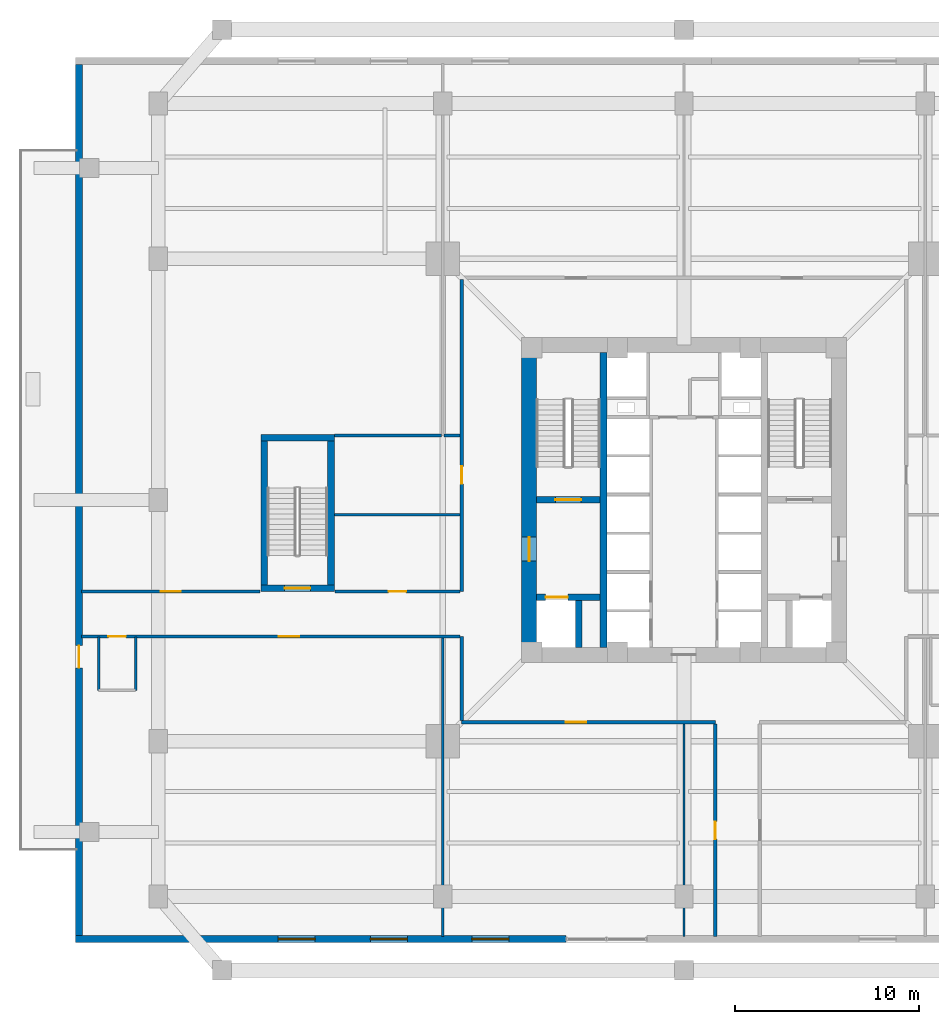
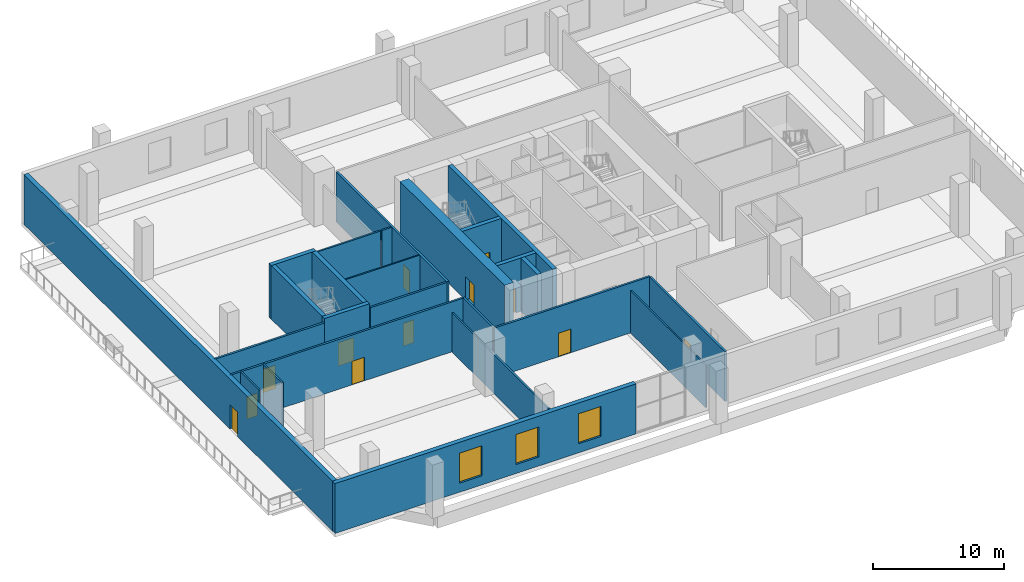
# One storey, part 6 of 14: 25 walls, 12 doors, 3 windows, 15 openings.
"""IFC4 building model written with IfcOpenShell, lengths in metres."""

from ifc_helpers import new_model, si_unit, direction, frame, frame_2d, origin, place, context, subcontext, project, spatial, rectangle, extrude, source, transform, mapped, material, layer, layer_set, type_object, element, fill, save


model = new_model("IFC4")

# Units and contexts
model_context = context("Model", 3, precision=1e-05, world=origin(), true_north=direction((0.0, 1.0)))
body_context = subcontext(model_context, "Body", "Model", "MODEL_VIEW")
ifc_project = project(units=[si_unit("LENGTHUNIT", "METRE"), si_unit("AREAUNIT", "SQUARE_METRE"), si_unit("VOLUMEUNIT", "CUBIC_METRE"), si_unit("PLANEANGLEUNIT", "RADIAN"), si_unit("MASSUNIT", "GRAM", prefix="KILO"), si_unit("THERMODYNAMICTEMPERATUREUNIT", "KELVIN")], contexts=[model_context])

# Site, building, storey
site_placement = place(None, origin())
site = spatial("IfcSite", under=ifc_project, at=site_placement, CompositionType="ELEMENT")
building_placement = place(site_placement, origin())
building = spatial("IfcBuilding", under=site, at=building_placement, Name="Kosmvard Interchange Tower", CompositionType="ELEMENT")
storey_placement = place(building_placement, frame((0.0, 0.0, 16.0)))
storey = spatial("IfcBuildingStorey", under=building, at=storey_placement, Name="L03", CompositionType="ELEMENT", Elevation=16.0)

# Walls
ifc_material_1 = material(Name="Acoustic gypsum partition system")
ifc_layer_1 = layer(ifc_material_1, 0.14990234375, Name="Acoustic gypsum partition system")
ifc_layer_set_1 = layer_set([ifc_layer_1], Name="Acoustic gypsum partition system")
wall_type_1 = type_object("IfcWallType", Name="Acoustic Suite & Meeting Partition 150", PredefinedType="PARTITIONING", material=ifc_layer_set_1)
wall_1_placement = place(storey_placement, frame((-18.9599609375, 3.5, 0.0), z_axis=(0.0, 0.0, 1.0), x_axis=(1.0, 0.0, 0.0)))
element("IfcWall", 1, at=wall_1_placement, inside=storey, type_object=wall_type_1, Name="L03 Room Partition 04.1", PredefinedType="PARTITIONING", context=body_context, shape_type="SweptSolid", body=[
    extrude(rectangle(XDim=5.803955078125, YDim=0.14990234375, at=frame_2d((2.90185546875, 0.0))), origin(), (0.0, 0.0, 1.0), 4.659912109375),
])
wall_2_placement = place(storey_placement, frame((-13.006103515625, 3.5, 0.0), z_axis=(0.0, 0.0, 1.0), x_axis=(1.0, 0.0, 0.0)))
element("IfcWall", 2, at=wall_2_placement, inside=storey, type_object=wall_type_1, Name="L03 Room Partition 04.2", PredefinedType="PARTITIONING", context=body_context, shape_type="SweptSolid", body=[
    extrude(rectangle(XDim=0.861083984375, YDim=0.14990234375, at=frame_2d((0.4306640625, 0.0))), origin(), (0.0, 0.0, 1.0), 4.659912109375),
])
wall_3_placement = place(storey_placement, frame((-13.0810546875, -23.6650390625, 0.0), z_axis=(0.0, 0.0, 1.0), x_axis=(0.0, 1.0, 0.0)))
element("IfcWall", 3, at=wall_3_placement, inside=storey, type_object=wall_type_1, Name="L03 Room Partition 08.1", PredefinedType="PARTITIONING", context=body_context, shape_type="SweptSolid", body=[
    extrude(rectangle(XDim=16.169921875, YDim=0.14990234375, at=frame_2d((8.0849609375, 0.0))), origin(), (0.0, 0.0, 1.0), 3.652099609375),
])

# Wall, opening, door
ifc_material_2 = material(Name="Fire-rated gypsum partition system")
ifc_layer_2 = layer(ifc_material_2, 0.179931640625, Name="Fire-rated gypsum partition system")
ifc_layer_set_2 = layer_set([ifc_layer_2], Name="Fire-rated gypsum partition system")
wall_type_2 = type_object("IfcWallType", Name="Corridor & Hotel Compartment Partition 180", PredefinedType="PARTITIONING", material=ifc_layer_set_2)
wall_4_placement = place(storey_placement, frame((-12.050048828125, -12.050048828125, 0.0), z_axis=(0.0, 0.0, 1.0), x_axis=(1.0, 0.0, 0.0)))
wall_4 = element("IfcWall", 4, at=wall_4_placement, inside=storey, type_object=wall_type_2, Name="L03 Corridor Wall CSW", PredefinedType="PARTITIONING", context=body_context, shape_type="SweptSolid", body=[
    extrude(rectangle(XDim=13.75, YDim=0.179931640625, at=frame_2d((6.875, 0.0))), origin(), (0.0, 0.0, 1.0), 4.659912109375),
])
opening_1_placement = place(wall_4_placement, frame((5.639404296875, 0.0, 0.0)))
opening_1 = element("IfcOpeningElement", 5, at=opening_1_placement, cuts=wall_4, Name="Opening L03-D12", PredefinedType="OPENING", context=body_context, shape_type="SweptSolid", body=[
    extrude(rectangle(XDim=1.10009765625, YDim=2.199951171875, at=frame_2d((0.550048828125, 1.10009765625))), frame((0.0, 0.10009765625, 0.0), z_axis=(0.0, -1.0, 0.0), x_axis=(1.0, 0.0, 0.0)), (0.0, 0.0, 1.0), 0.199951171875),
])
ifc_material_3 = material(Name="Engineered oak fire-rated timber", Category="wood")
door_type_1 = type_object("IfcDoorType", Name="Office Suite Entrance Door 1100x2200 FD30S", OperationType="NOTDEFINED", PredefinedType="DOOR", material=ifc_material_3)
shared_shape_1 = source(origin(), body_context, "Body", "SweptSolid", [
    extrude(rectangle(XDim=1.10009765625, YDim=2.199951171875, at=frame_2d((0.550048828125, 1.10009765625))), frame((0.0, 0.02490234375, 0.0), z_axis=(0.0, -1.0, 0.0), x_axis=(1.0, 0.0, 0.0)), (0.0, 0.0, 1.0), 0.050048828125),
])
door_1_placement = place(opening_1_placement, frame((1.10009765625, 0.0, 0.0), z_axis=(0.0, 0.0, 1.0), x_axis=(-1.0, 0.0, 0.0)))
door_1 = element("IfcDoor", 6, at=door_1_placement, inside=storey, type_object=door_type_1, Name="L03 L03 Seminar Briefing Room 3 Door", OperationType="SINGLE_SWING_RIGHT", OverallHeight=2.199951171875, OverallWidth=1.10009765625, PredefinedType="DOOR", context=body_context, shape_type="MappedRepresentation", body=[
    mapped(shared_shape_1, transform((0.0, 0.0, 0.0), scale=1.0)),
])
fill(opening_1, door_1)

# Wall
wall_5_placement = place(storey_placement, frame((-12.050048828125, -11.949951171875, 0.0), z_axis=(0.0, 0.0, 1.0), x_axis=(0.0, 1.0, 0.0)))
element("IfcWall", 7, at=wall_5_placement, inside=storey, type_object=wall_type_2, Name="L03 Corridor Wall CWS", PredefinedType="PARTITIONING", context=body_context, shape_type="SweptSolid", body=[
    extrude(rectangle(XDim=4.550048828125, YDim=0.179931640625, at=frame_2d((2.27490234375, 0.0))), origin(), (0.0, 0.0, 1.0), 4.659912109375),
])

# Wall, opening, door
wall_6_placement = place(storey_placement, frame((-12.050048828125, -4.9599609375, 0.0), z_axis=(0.0, 0.0, 1.0), x_axis=(0.0, 1.0, 0.0)))
wall_6 = element("IfcWall", 8, at=wall_6_placement, inside=storey, type_object=wall_type_2, Name="L03 Corridor Wall CWN", PredefinedType="PARTITIONING", context=body_context, shape_type="SweptSolid", body=[
    extrude(rectangle(XDim=16.909912109375, YDim=0.179931640625, at=frame_2d((8.455078125, 0.0))), origin(), (0.0, 0.0, 1.0), 4.659912109375),
])
opening_2_placement = place(wall_6_placement, frame((5.8349609375, 0.0, 0.0)))
opening_2 = element("IfcOpeningElement", 9, at=opening_2_placement, cuts=wall_6, Name="Opening L03-D08", PredefinedType="OPENING", context=body_context, shape_type="SweptSolid", body=[
    extrude(rectangle(XDim=0.949951171875, YDim=2.14990234375, at=frame_2d((0.47509765625, 1.074951171875))), frame((0.0, 0.10009765625, 0.0), z_axis=(0.0, -1.0, 0.0), x_axis=(1.0, 0.0, 0.0)), (0.0, 0.0, 1.0), 0.199951171875),
])
ifc_material_4 = material(Name="Engineered oak acoustic timber", Category="wood")
door_type_2 = type_object("IfcDoorType", Name="Meeting & Cellular Office Door 950x2150", OperationType="NOTDEFINED", PredefinedType="DOOR", material=ifc_material_4)
shared_shape_2 = source(origin(), body_context, "Body", "SweptSolid", [
    extrude(rectangle(XDim=0.949951171875, YDim=2.14990234375, at=frame_2d((0.47509765625, 1.074951171875))), frame((0.0, 0.02490234375, 0.0), z_axis=(0.0, -1.0, 0.0), x_axis=(1.0, 0.0, 0.0)), (0.0, 0.0, 1.0), 0.050048828125),
])
door_2_placement = place(opening_2_placement, origin())
door_2 = element("IfcDoor", 10, at=door_2_placement, inside=storey, type_object=door_type_2, Name="L03 L03 Traveler Medical Clinic Door", OperationType="SINGLE_SWING_RIGHT", OverallHeight=2.14990234375, OverallWidth=0.949951171875, PredefinedType="DOOR", context=body_context, shape_type="MappedRepresentation", body=[
    mapped(shared_shape_2, transform((0.0, 0.0, 0.0), scale=1.0)),
])
fill(opening_2, door_2)

# Wall, openings, doors
wall_7_placement = place(storey_placement, frame((-32.6650390625, -7.39990234375, 0.0), z_axis=(0.0, 0.0, 1.0), x_axis=(1.0, 0.0, 0.0)))
wall_7 = element("IfcWall", 11, at=wall_7_placement, inside=storey, type_object=wall_type_2, Name="L03 Corridor Wall SWS", PredefinedType="PARTITIONING", context=body_context, shape_type="SweptSolid", body=[
    extrude(rectangle(XDim=20.51513671875, YDim=0.179931640625, at=frame_2d((10.257568359375, 0.0))), origin(), (0.0, 0.0, 1.0), 4.659912109375),
])
opening_3_placement = place(wall_7_placement, frame((1.455078125, 0.0, 0.0)))
opening_3 = element("IfcOpeningElement", 12, at=opening_3_placement, cuts=wall_7, Name="Opening L03-D01", PredefinedType="OPENING", context=body_context, shape_type="SweptSolid", body=[
    extrude(rectangle(XDim=0.949951171875, YDim=2.10009765625, at=frame_2d((0.47509765625, 1.050048828125))), frame((0.0, 0.10009765625, 0.0), z_axis=(0.0, -1.0, 0.0), x_axis=(1.0, 0.0, 0.0)), (0.0, 0.0, 1.0), 0.199951171875),
])
opening_4_placement = place(wall_7_placement, frame((10.700927734375, 0.0, 0.0)))
opening_4 = element("IfcOpeningElement", 13, at=opening_4_placement, cuts=wall_7, Name="Opening L03-D11", PredefinedType="OPENING", context=body_context, shape_type="SweptSolid", body=[
    extrude(rectangle(XDim=1.10009765625, YDim=2.199951171875, at=frame_2d((0.550048828125, 1.10009765625))), frame((0.0, 0.10009765625, 0.0), z_axis=(0.0, -1.0, 0.0), x_axis=(1.0, 0.0, 0.0)), (0.0, 0.0, 1.0), 0.199951171875),
])
ifc_material_5 = material(Name="Laminated moisture-resistant timber", Category="wood")
door_type_3 = type_object("IfcDoorType", Name="Accessible Washroom Door 950x2100", OperationType="NOTDEFINED", PredefinedType="DOOR", material=ifc_material_5)
shared_shape_3 = source(origin(), body_context, "Body", "SweptSolid", [
    extrude(rectangle(XDim=0.949951171875, YDim=2.10009765625, at=frame_2d((0.47509765625, 1.050048828125))), frame((0.0, 0.02490234375, 0.0), z_axis=(0.0, -1.0, 0.0), x_axis=(1.0, 0.0, 0.0)), (0.0, 0.0, 1.0), 0.050048828125),
])
door_3_placement = place(opening_3_placement, frame((0.949951171875, 0.0, 0.0), z_axis=(0.0, 0.0, 1.0), x_axis=(-1.0, 0.0, 0.0)))
door_3 = element("IfcDoor", 14, at=door_3_placement, inside=storey, type_object=door_type_3, Name="L03 Accessible Toilet Door", OperationType="SINGLE_SWING_LEFT", OverallHeight=2.10009765625, OverallWidth=0.949951171875, PredefinedType="DOOR", context=body_context, shape_type="MappedRepresentation", body=[
    mapped(shared_shape_3, transform((0.0, 0.0, 0.0), scale=1.0)),
])
fill(opening_3, door_3)
door_4_placement = place(opening_4_placement, frame((1.10009765625, 0.0, 0.0), z_axis=(0.0, 0.0, 1.0), x_axis=(-1.0, 0.0, 0.0)))
door_4 = element("IfcDoor", 15, at=door_4_placement, inside=storey, type_object=door_type_1, Name="L03 L03 West Terrace Reading Lounge Door", OperationType="SINGLE_SWING_LEFT", OverallHeight=2.199951171875, OverallWidth=1.10009765625, PredefinedType="DOOR", context=body_context, shape_type="MappedRepresentation", body=[
    mapped(shared_shape_1, transform((0.0, 0.0, 0.0), scale=1.0)),
])
fill(opening_4, door_4)

# Wall, opening, door
wall_8_placement = place(storey_placement, frame((-32.6650390625, -4.9599609375, 0.0), z_axis=(0.0, 0.0, 1.0), x_axis=(1.0, 0.0, 0.0)))
wall_8 = element("IfcWall", 16, at=wall_8_placement, inside=storey, type_object=wall_type_2, Name="L03 Corridor Wall SWN1", PredefinedType="PARTITIONING", context=body_context, shape_type="SweptSolid", body=[
    extrude(rectangle(XDim=9.68505859375, YDim=0.179931640625, at=frame_2d((4.842529296875, 0.0))), origin(), (0.0, 0.0, 1.0), 4.659912109375),
])
opening_5_placement = place(wall_8_placement, frame((4.29248046875, 0.0, 0.0)))
opening_5 = element("IfcOpeningElement", 17, at=opening_5_placement, cuts=wall_8, Name="Opening L03-D03", PredefinedType="OPENING", context=body_context, shape_type="SweptSolid", body=[
    extrude(rectangle(XDim=1.10009765625, YDim=2.199951171875, at=frame_2d((0.550048828125, 1.10009765625))), frame((0.0, 0.10009765625, 0.0), z_axis=(0.0, -1.0, 0.0), x_axis=(1.0, 0.0, 0.0)), (0.0, 0.0, 1.0), 0.199951171875),
])
door_5_placement = place(opening_5_placement, origin())
door_5 = element("IfcDoor", 18, at=door_5_placement, inside=storey, type_object=door_type_1, Name="L03 L03 West Co-Working Workplace Door", OperationType="SINGLE_SWING_LEFT", OverallHeight=2.199951171875, OverallWidth=1.10009765625, PredefinedType="DOOR", context=body_context, shape_type="MappedRepresentation", body=[
    mapped(shared_shape_1, transform((0.0, 0.0, 0.0), scale=1.0)),
])
fill(opening_5, door_5)

wall_9_placement = place(storey_placement, frame((-18.919921875, -4.9599609375, 0.0), z_axis=(0.0, 0.0, 1.0), x_axis=(1.0, 0.0, 0.0)))
wall_9 = element("IfcWall", 19, at=wall_9_placement, inside=storey, type_object=wall_type_2, Name="L03 Corridor Wall SWN2", PredefinedType="PARTITIONING", context=body_context, shape_type="SweptSolid", body=[
    extrude(rectangle(XDim=6.77001953125, YDim=0.179931640625, at=frame_2d((3.385009765625, 0.0))), origin(), (0.0, 0.0, 1.0), 4.659912109375),
])
opening_6_placement = place(wall_9_placement, frame((2.909912109375, 0.0, 0.0)))
opening_6 = element("IfcOpeningElement", 20, at=opening_6_placement, cuts=wall_9, Name="Opening L03-D07", PredefinedType="OPENING", context=body_context, shape_type="SweptSolid", body=[
    extrude(rectangle(XDim=0.949951171875, YDim=2.14990234375, at=frame_2d((0.47509765625, 1.074951171875))), frame((0.0, 0.10009765625, 0.0), z_axis=(0.0, -1.0, 0.0), x_axis=(1.0, 0.0, 0.0)), (0.0, 0.0, 1.0), 0.199951171875),
])
door_6_placement = place(opening_6_placement, origin())
door_6 = element("IfcDoor", 21, at=door_6_placement, inside=storey, type_object=door_type_2, Name="L03 L03 Business Servery Pantry Door", OperationType="SINGLE_SWING_LEFT", OverallHeight=2.14990234375, OverallWidth=0.949951171875, PredefinedType="DOOR", context=body_context, shape_type="MappedRepresentation", body=[
    mapped(shared_shape_2, transform((0.0, 0.0, 0.0), scale=1.0)),
])
fill(opening_6, door_6)

wall_10_placement = place(storey_placement, frame((1.699951171875, -23.6650390625, 0.0), z_axis=(0.0, 0.0, 1.0), x_axis=(0.0, 1.0, 0.0)))
wall_10 = element("IfcWall", 22, at=wall_10_placement, inside=storey, type_object=wall_type_2, Name="L03 Corridor Wall SSW", PredefinedType="PARTITIONING", context=body_context, shape_type="SweptSolid", body=[
    extrude(rectangle(XDim=11.51513671875, YDim=0.179931640625, at=frame_2d((5.757568359375, 0.0))), origin(), (0.0, 0.0, 1.0), 4.659912109375),
])
opening_7_placement = place(wall_10_placement, frame((5.282470703125, 0.0, 0.0)))
opening_7 = element("IfcOpeningElement", 23, at=opening_7_placement, cuts=wall_10, Name="Opening L03-D13", PredefinedType="OPENING", context=body_context, shape_type="SweptSolid", body=[
    extrude(rectangle(XDim=0.949951171875, YDim=2.14990234375, at=frame_2d((0.47509765625, 1.074951171875))), frame((0.0, 0.10009765625, 0.0), z_axis=(0.0, -1.0, 0.0), x_axis=(1.0, 0.0, 0.0)), (0.0, 0.0, 1.0), 0.199951171875),
])
door_7_placement = place(opening_7_placement, origin())
door_7 = element("IfcDoor", 24, at=door_7_placement, inside=storey, type_object=door_type_2, Name="L03 L03 Business Archive Store Door", OperationType="SINGLE_SWING_LEFT", OverallHeight=2.14990234375, OverallWidth=0.949951171875, PredefinedType="DOOR", context=body_context, shape_type="MappedRepresentation", body=[
    mapped(shared_shape_2, transform((0.0, 0.0, 0.0), scale=1.0)),
])
fill(opening_7, door_7)

ifc_material_6 = material(Name="Concrete C80/95", Category="concrete")
ifc_layer_3 = layer(ifc_material_6, 0.800048828125, Name="Concrete C80/95")
ifc_layer_set_3 = layer_set([ifc_layer_3], Name="Concrete C80/95")
wall_type_3 = type_object("IfcWallType", Name="Lower Core Shear Wall 800 C80/95", PredefinedType="SHEAR", material=ifc_layer_set_3)
wall_11_placement = place(storey_placement, frame((-8.39990234375, -8.0, 0.0), z_axis=(0.0, 0.0, 1.0), x_axis=(0.0, 1.0, 0.0)))
wall_11 = element("IfcWall", 25, at=wall_11_placement, inside=storey, type_object=wall_type_3, Name="L03 Core Shear Wall CW-W", PredefinedType="SHEAR", context=body_context, shape_type="SweptSolid", body=[
    extrude(rectangle(XDim=16.0, YDim=0.800048828125, at=frame_2d((8.0, 0.0))), origin(), (0.0, 0.0, 1.0), 5.0),
])
opening_8_placement = place(wall_11_placement, frame((4.68994140625, 0.0, 0.0)))
opening_8 = element("IfcOpeningElement", 26, at=opening_8_placement, cuts=wall_11, Name="Opening L03-FD1", PredefinedType="OPENING", context=body_context, shape_type="SweptSolid", body=[
    extrude(rectangle(XDim=1.300048828125, YDim=2.199951171875, at=frame_2d((0.64990234375, 1.10009765625))), frame((0.0, 0.41015625, 0.0), z_axis=(0.0, -1.0, 0.0), x_axis=(1.0, 0.0, 0.0)), (0.0, 0.0, 1.0), 0.820068359375),
])
ifc_material_7 = material(Name="Painted fire-rated steel leaf", Category="steel")
door_type_4 = type_object("IfcDoorType", Name="Firefighting Lobby Door 1300x2200 EI60", OperationType="NOTDEFINED", PredefinedType="DOOR", material=ifc_material_7)
shared_shape_4 = source(origin(), body_context, "Body", "SweptSolid", [
    extrude(rectangle(XDim=1.300048828125, YDim=2.199951171875, at=frame_2d((0.64990234375, 1.10009765625))), frame((0.0, 0.02490234375, 0.0), z_axis=(0.0, -1.0, 0.0), x_axis=(1.0, 0.0, 0.0)), (0.0, 0.0, 1.0), 0.050048828125),
])
door_8_placement = place(opening_8_placement, frame((1.300048828125, 0.0, 0.0), z_axis=(0.0, 0.0, 1.0), x_axis=(-1.0, 0.0, 0.0)))
door_8 = element("IfcDoor", 27, at=door_8_placement, inside=storey, type_object=door_type_4, Name="L03 Firefighting Lobby West Door", OperationType="SINGLE_SWING_LEFT", OverallHeight=2.199951171875, OverallWidth=1.300048828125, PredefinedType="DOOR", context=body_context, shape_type="MappedRepresentation", body=[
    mapped(shared_shape_4, transform((0.0, 0.0, 0.0), scale=1.0)),
])
fill(opening_8, door_8)

# Walls
ifc_material_8 = material(Name="Gypsum board partition system")
ifc_layer_4 = layer(ifc_material_8, 0.1201171875, Name="Gypsum board partition system")
ifc_layer_set_4 = layer_set([ifc_layer_4], Name="Gypsum board partition system")
wall_type_4 = type_object("IfcWallType", Name="Office Cellular Partition 120", PredefinedType="PARTITIONING", material=ifc_layer_set_4)
wall_12_placement = place(storey_placement, frame((-18.9599609375, -0.800048828125, 0.0), z_axis=(0.0, 0.0, 1.0), x_axis=(1.0, 0.0, 0.0)))
element("IfcWall", 28, at=wall_12_placement, inside=storey, type_object=wall_type_4, Name="L03 Room Partition 06.1", PredefinedType="PARTITIONING", context=body_context, shape_type="SweptSolid", body=[
    extrude(rectangle(XDim=6.81494140625, YDim=0.1201171875, at=frame_2d((3.407470703125, 0.0))), origin(), (0.0, 0.0, 1.0), 4.659912109375),
])
wall_13_placement = place(storey_placement, frame((0.0, -23.6650390625, 0.0), z_axis=(0.0, 0.0, 1.0), x_axis=(0.0, 1.0, 0.0)))
element("IfcWall", 29, at=wall_13_placement, inside=storey, type_object=wall_type_4, Name="L03 Room Partition 09.1", PredefinedType="PARTITIONING", context=body_context, shape_type="SweptSolid", body=[
    extrude(rectangle(XDim=11.52001953125, YDim=0.1201171875, at=frame_2d((5.760009765625, 0.0))), origin(), (0.0, 0.0, 1.0), 3.949951171875),
])

# Wall, openings, windows
ifc_material_9 = material(Name="Precast concrete C45/55", Category="concrete")
ifc_layer_5 = layer(ifc_material_9, 0.39990234375, Name="Precast concrete C45/55")
ifc_layer_set_5 = layer_set([ifc_layer_5], Name="Precast concrete C45/55")
wall_type_5 = type_object("IfcWallType", Name="Podium Precast Stone Pier Wall 400 C45/55", PredefinedType="STANDARD", material=ifc_layer_set_5)
wall_14_placement = place(storey_placement, frame((-33.0, -23.800048828125, 0.0), z_axis=(0.0, 0.0, 1.0), x_axis=(1.0, 0.0, 0.0)))
wall_14 = element("IfcWall", 30, at=wall_14_placement, inside=storey, type_object=wall_type_5, Name="L03 Podium Precast Wall EW-S1", PredefinedType="STANDARD", context=body_context, shape_type="SweptSolid", body=[
    extrude(rectangle(XDim=26.60009765625, YDim=0.39990234375, at=frame_2d((13.300048828125, 0.0))), origin(), (0.0, 0.0, 1.0), 4.659912109375),
])
opening_9_placement = place(wall_14_placement, frame((11.0, 0.0, 0.85009765625)))
opening_9 = element("IfcOpeningElement", 31, at=opening_9_placement, cuts=wall_14, Name="Opening L03-W1", PredefinedType="OPENING", context=body_context, shape_type="SweptSolid", body=[
    extrude(rectangle(XDim=2.0, YDim=2.800048828125, at=frame_2d((1.0, 1.39990234375))), frame((0.0, 0.2099609375, 0.0), z_axis=(0.0, -1.0, 0.0), x_axis=(1.0, 0.0, 0.0)), (0.0, 0.0, 1.0), 0.419921875),
])
opening_10_placement = place(wall_14_placement, frame((16.0, 0.0, 0.85009765625)))
opening_10 = element("IfcOpeningElement", 32, at=opening_10_placement, cuts=wall_14, Name="Opening L03-W2", PredefinedType="OPENING", context=body_context, shape_type="SweptSolid", body=[
    extrude(rectangle(XDim=2.0, YDim=2.800048828125, at=frame_2d((1.0, 1.39990234375))), frame((0.0, 0.2099609375, 0.0), z_axis=(0.0, -1.0, 0.0), x_axis=(1.0, 0.0, 0.0)), (0.0, 0.0, 1.0), 0.419921875),
])
opening_11_placement = place(wall_14_placement, frame((21.5, 0.0, 0.85009765625)))
opening_11 = element("IfcOpeningElement", 33, at=opening_11_placement, cuts=wall_14, Name="Opening L03-W3", PredefinedType="OPENING", context=body_context, shape_type="SweptSolid", body=[
    extrude(rectangle(XDim=2.0, YDim=2.800048828125, at=frame_2d((1.0, 1.39990234375))), frame((0.0, 0.2099609375, 0.0), z_axis=(0.0, -1.0, 0.0), x_axis=(1.0, 0.0, 0.0)), (0.0, 0.0, 1.0), 0.419921875),
])
ifc_material_10 = material(Name="Low-E solar-control double glazing", Category="glass")
window_type = type_object("IfcWindowType", Name="Podium Lounge Punched Window 2000x2800", PartitioningType="SINGLE_PANEL", PredefinedType="WINDOW", material=ifc_material_10)
shared_shape_5 = source(origin(), body_context, "Body", "SweptSolid", [
    extrude(rectangle(XDim=2.0, YDim=2.800048828125, at=frame_2d((1.0, 1.39990234375))), frame((0.0, 0.030029296875, 0.0), z_axis=(0.0, -1.0, 0.0), x_axis=(1.0, 0.0, 0.0)), (0.0, 0.0, 1.0), 0.06005859375),
])
window_1_placement = place(opening_9_placement, origin())
window_1 = element("IfcWindow", 34, at=window_1_placement, inside=storey, type_object=window_type, Name="L03 Podium Window 1", OverallHeight=2.800048828125, OverallWidth=2.0, PartitioningType="SINGLE_PANEL", PredefinedType="WINDOW", context=body_context, shape_type="MappedRepresentation", body=[
    mapped(shared_shape_5, transform((0.0, 0.0, 0.0), scale=1.0)),
])
fill(opening_9, window_1)
window_2_placement = place(opening_10_placement, origin())
window_2 = element("IfcWindow", 35, at=window_2_placement, inside=storey, type_object=window_type, Name="L03 Podium Window 2", OverallHeight=2.800048828125, OverallWidth=2.0, PartitioningType="SINGLE_PANEL", PredefinedType="WINDOW", context=body_context, shape_type="MappedRepresentation", body=[
    mapped(shared_shape_5, transform((0.0, 0.0, 0.0), scale=1.0)),
])
fill(opening_10, window_2)
window_3_placement = place(opening_11_placement, origin())
window_3 = element("IfcWindow", 36, at=window_3_placement, inside=storey, type_object=window_type, Name="L03 Podium Window 3", OverallHeight=2.800048828125, OverallWidth=2.0, PartitioningType="SINGLE_PANEL", PredefinedType="WINDOW", context=body_context, shape_type="MappedRepresentation", body=[
    mapped(shared_shape_5, transform((0.0, 0.0, 0.0), scale=1.0)),
])
fill(opening_11, window_3)

# Wall, opening, door
wall_15_placement = place(storey_placement, frame((-32.800048828125, -23.60009765625, 0.0), z_axis=(0.0, 0.0, 1.0), x_axis=(0.0, 1.0, 0.0)))
wall_15 = element("IfcWall", 37, at=wall_15_placement, inside=storey, type_object=wall_type_5, Name="L03 Podium Precast Wall EW-W", PredefinedType="STANDARD", context=body_context, shape_type="SweptSolid", body=[
    extrude(rectangle(XDim=47.2001953125, YDim=0.39990234375, at=frame_2d((23.60009765625, 0.0))), origin(), (0.0, 0.0, 1.0), 4.659912109375),
])
opening_12_placement = place(wall_15_placement, frame((14.5, 0.0, 0.0)))
opening_12 = element("IfcOpeningElement", 38, at=opening_12_placement, cuts=wall_15, Name="Opening L03-TDW", PredefinedType="OPENING", context=body_context, shape_type="SweptSolid", body=[
    extrude(rectangle(XDim=1.199951171875, YDim=2.300048828125, at=frame_2d((0.60009765625, 1.14990234375))), frame((0.0, 0.2099609375, 0.0), z_axis=(0.0, -1.0, 0.0), x_axis=(1.0, 0.0, 0.0)), (0.0, 0.0, 1.0), 0.419921875),
])
ifc_material_11 = material(Name="Anodised aluminium and safety glass", Category="aluminium")
door_type_5 = type_object("IfcDoorType", Name="Cascade Terrace Glazed Door 1200x2300", OperationType="NOTDEFINED", PredefinedType="DOOR", material=ifc_material_11)
shared_shape_6 = source(origin(), body_context, "Body", "SweptSolid", [
    extrude(rectangle(XDim=1.199951171875, YDim=2.300048828125, at=frame_2d((0.60009765625, 1.14990234375))), frame((0.0, 0.02490234375, 0.0), z_axis=(0.0, -1.0, 0.0), x_axis=(1.0, 0.0, 0.0)), (0.0, 0.0, 1.0), 0.050048828125),
])
door_9_placement = place(opening_12_placement, frame((1.199951171875, 0.0, 0.0), z_axis=(0.0, 0.0, 1.0), x_axis=(-1.0, 0.0, 0.0)))
door_9 = element("IfcDoor", 39, at=door_9_placement, inside=storey, type_object=door_type_5, Name="L03 West Cascading Terrace Door", OperationType="SINGLE_SWING_LEFT", OverallHeight=2.300048828125, OverallWidth=1.199951171875, PredefinedType="DOOR", context=body_context, shape_type="MappedRepresentation", body=[
    mapped(shared_shape_6, transform((0.0, 0.0, 0.0), scale=1.0)),
])
fill(opening_12, door_9)

# Wall
ifc_material_12 = material(Name="Concrete C60/75", Category="concrete")
ifc_layer_6 = layer(ifc_material_12, 0.360107421875, Name="Concrete C60/75")
ifc_layer_set_6 = layer_set([ifc_layer_6], Name="Concrete C60/75")
wall_type_6 = type_object("IfcWallType", Name="Stair & Lift Shaft Shear Wall 360 C60/75", PredefinedType="SHEAR", material=ifc_layer_set_6)
wall_16_placement = place(storey_placement, frame((-4.360107421875, -8.0, 0.0), z_axis=(0.0, 0.0, 1.0), x_axis=(0.0, 1.0, 0.0)))
element("IfcWall", 40, at=wall_16_placement, inside=storey, type_object=wall_type_6, Name="L03 Shaft Shear Wall SW-W", PredefinedType="SHEAR", context=body_context, shape_type="SweptSolid", body=[
    extrude(rectangle(XDim=16.0, YDim=0.360107421875, at=frame_2d((8.0, 0.0))), origin(), (0.0, 0.0, 1.0), 5.0),
])

# Wall, opening, door
wall_17_placement = place(storey_placement, frame((-8.0, 0.02001953125, 0.0), z_axis=(0.0, 0.0, 1.0), x_axis=(1.0, 0.0, 0.0)))
wall_17 = element("IfcWall", 41, at=wall_17_placement, inside=storey, type_object=wall_type_6, Name="L03 Shaft Shear Wall SW-ST1", PredefinedType="SHEAR", context=body_context, shape_type="SweptSolid", body=[
    extrude(rectangle(XDim=3.4599609375, YDim=0.360107421875, at=frame_2d((1.72998046875, 0.0))), origin(), (0.0, 0.0, 1.0), 5.0),
])
opening_13_placement = place(wall_17_placement, frame((1.030029296875, 0.0, 0.0)))
opening_13 = element("IfcOpeningElement", 42, at=opening_13_placement, cuts=wall_17, Name="Opening L03-SD1", PredefinedType="OPENING", context=body_context, shape_type="SweptSolid", body=[
    extrude(rectangle(XDim=1.39990234375, YDim=2.199951171875, at=frame_2d((0.699951171875, 1.10009765625))), frame((0.0, 0.18994140625, 0.0), z_axis=(0.0, -1.0, 0.0), x_axis=(1.0, 0.0, 0.0)), (0.0, 0.0, 1.0), 0.380126953125),
])
door_type_6 = type_object("IfcDoorType", Name="Protected Stair Door 1400x2200 FD60S", OperationType="NOTDEFINED", PredefinedType="DOOR", material=ifc_material_7)
shared_shape_7 = source(origin(), body_context, "Body", "SweptSolid", [
    extrude(rectangle(XDim=1.39990234375, YDim=2.199951171875, at=frame_2d((0.699951171875, 1.10009765625))), frame((0.0, 0.02490234375, 0.0), z_axis=(0.0, -1.0, 0.0), x_axis=(1.0, 0.0, 0.0)), (0.0, 0.0, 1.0), 0.050048828125),
])
door_10_placement = place(opening_13_placement, origin())
door_10 = element("IfcDoor", 43, at=door_10_placement, inside=storey, type_object=door_type_6, Name="L03 Stair ST-1 Enclosure Door", OperationType="SINGLE_SWING_LEFT", OverallHeight=2.199951171875, OverallWidth=1.39990234375, PredefinedType="DOOR", context=body_context, shape_type="MappedRepresentation", body=[
    mapped(shared_shape_7, transform((0.0, 0.0, 0.0), scale=1.0)),
])
fill(opening_13, door_10)

wall_18_placement = place(storey_placement, frame((-8.0, -5.280029296875, 0.0), z_axis=(0.0, 0.0, 1.0), x_axis=(1.0, 0.0, 0.0)))
wall_18 = element("IfcWall", 44, at=wall_18_placement, inside=storey, type_object=wall_type_6, Name="L03 Shaft Shear Wall SW-FF1", PredefinedType="SHEAR", context=body_context, shape_type="SweptSolid", body=[
    extrude(rectangle(XDim=3.4599609375, YDim=0.360107421875, at=frame_2d((1.72998046875, 0.0))), origin(), (0.0, 0.0, 1.0), 5.0),
])
opening_14_placement = place(wall_18_placement, frame((0.5, 0.0, 0.0)))
opening_14 = element("IfcOpeningElement", 45, at=opening_14_placement, cuts=wall_18, Name="Opening LD-FF-1-L03", PredefinedType="OPENING", context=body_context, shape_type="SweptSolid", body=[
    extrude(rectangle(XDim=1.199951171875, YDim=2.25, at=frame_2d((0.60009765625, 1.125))), frame((0.0, 0.18994140625, 0.0), z_axis=(0.0, -1.0, 0.0), x_axis=(1.0, 0.0, 0.0)), (0.0, 0.0, 1.0), 0.380126953125),
])
ifc_material_13 = material(Name="Brushed stainless steel sliding leaf", Category="steel")
door_type_7 = type_object("IfcDoorType", Name="Firefighting Lift Sliding Landing Door 1200x2250 EI120", OperationType="DOUBLE_DOOR_SLIDING", PredefinedType="DOOR", material=ifc_material_13)
shared_shape_8 = source(origin(), body_context, "Body", "SweptSolid", [
    extrude(rectangle(XDim=1.199951171875, YDim=2.25, at=frame_2d((0.60009765625, 1.125))), frame((0.0, 0.02490234375, 0.0), z_axis=(0.0, -1.0, 0.0), x_axis=(1.0, 0.0, 0.0)), (0.0, 0.0, 1.0), 0.050048828125),
])
door_11_placement = place(opening_14_placement, origin())
door_11 = element("IfcDoor", 46, at=door_11_placement, inside=storey, type_object=door_type_7, Name="Lift FF-1 Landing Door L03", OperationType="DOUBLE_DOOR_SLIDING", OverallHeight=2.25, OverallWidth=1.199951171875, PredefinedType="DOOR", context=body_context, shape_type="MappedRepresentation", body=[
    mapped(shared_shape_8, transform((0.0, 0.0, 0.0), scale=1.0)),
])
fill(opening_14, door_11)

# Wall
wall_19_placement = place(storey_placement, frame((-5.7099609375, -8.0, 0.0), z_axis=(0.0, 0.0, 1.0), x_axis=(0.0, 1.0, 0.0)))
element("IfcWall", 47, at=wall_19_placement, inside=storey, type_object=wall_type_6, Name="L03 Shaft Shear Wall SW-SM1", PredefinedType="SHEAR", context=body_context, shape_type="SweptSolid", body=[
    extrude(rectangle(XDim=2.5400390625, YDim=0.360107421875, at=frame_2d((1.27001953125, 0.0))), origin(), (0.0, 0.0, 1.0), 5.0),
])

# Wall, opening, door
wall_20_placement = place(storey_placement, frame((-22.93994140625, -4.780029296875, 0.0), z_axis=(0.0, 0.0, 1.0), x_axis=(1.0, 0.0, 0.0)))
wall_20 = element("IfcWall", 48, at=wall_20_placement, inside=storey, type_object=wall_type_6, Name="L03 Podium Stair Shear Wall ST3S", PredefinedType="SHEAR", context=body_context, shape_type="SweptSolid", body=[
    extrude(rectangle(XDim=3.97998046875, YDim=0.360107421875, at=frame_2d((1.989990234375, 0.0))), origin(), (0.0, 0.0, 1.0), 5.0),
])
opening_15_placement = place(wall_20_placement, frame((1.2900390625, 0.0, 0.0)))
opening_15 = element("IfcOpeningElement", 49, at=opening_15_placement, cuts=wall_20, Name="Opening L03-SD3", PredefinedType="OPENING", context=body_context, shape_type="SweptSolid", body=[
    extrude(rectangle(XDim=1.39990234375, YDim=2.199951171875, at=frame_2d((0.699951171875, 1.10009765625))), frame((0.0, 0.18994140625, 0.0), z_axis=(0.0, -1.0, 0.0), x_axis=(1.0, 0.0, 0.0)), (0.0, 0.0, 1.0), 0.380126953125),
])
door_12_placement = place(opening_15_placement, origin())
door_12 = element("IfcDoor", 50, at=door_12_placement, inside=storey, type_object=door_type_6, Name="L03 Podium Stair ST3 Door", OperationType="SINGLE_SWING_LEFT", OverallHeight=2.199951171875, OverallWidth=1.39990234375, PredefinedType="DOOR", context=body_context, shape_type="MappedRepresentation", body=[
    mapped(shared_shape_7, transform((0.0, 0.0, 0.0), scale=1.0)),
])
fill(opening_15, door_12)

# Walls
wall_21_placement = place(storey_placement, frame((-22.93994140625, 3.3798828125, 0.0), z_axis=(0.0, 0.0, 1.0), x_axis=(1.0, 0.0, 0.0)))
element("IfcWall", 51, at=wall_21_placement, inside=storey, type_object=wall_type_6, Name="L03 Podium Stair Shear Wall ST3N", PredefinedType="SHEAR", context=body_context, shape_type="SweptSolid", body=[
    extrude(rectangle(XDim=3.97998046875, YDim=0.360107421875, at=frame_2d((1.989990234375, 0.0))), origin(), (0.0, 0.0, 1.0), 5.0),
])
for number, where, z_axis, x_axis, name in (
    (52, (-22.760009765625, -4.60009765625, 0.0), (0.0, 0.0, 1.0), (0.0, 1.0, 0.0), "L03 Podium Stair Shear Wall ST3W"),
    (53, (-19.139892578125, -4.60009765625, 0.0), (0.0, 0.0, 1.0), (0.0, 1.0, 0.0), "L03 Podium Stair Shear Wall ST3E"),
):
    element("IfcWall", number, at=place(storey_placement, frame(where, z_axis=z_axis, x_axis=x_axis)), inside=storey, type_object=wall_type_6, Name=name, PredefinedType="SHEAR", context=body_context, shape_type="SweptSolid", body=[
        extrude(rectangle(XDim=7.800048828125, YDim=0.360107421875, at=frame_2d((3.89990234375, 0.0))), origin(), (0.0, 0.0, 1.0), 5.0),
    ])
ifc_material_14 = material(Name="Moisture-resistant gypsum partition")
ifc_layer_7 = layer(ifc_material_14, 0.135009765625, Name="Moisture-resistant gypsum partition")
ifc_layer_set_7 = layer_set([ifc_layer_7], Name="Moisture-resistant gypsum partition")
wall_type_7 = type_object("IfcWallType", Name="Wet Room Moisture-Resistant Partition 135", PredefinedType="PARTITIONING", material=ifc_layer_set_7)
for number, where, z_axis, x_axis, name in (
    (54, (-29.735107421875, -10.320068359375, 0.0), (0.0, 0.0, 1.0), (0.0, 1.0, 0.0), "L03 Washroom Partition AWC1-E"),
    (55, (-31.735107421875, -10.320068359375, 0.0), (0.0, 0.0, 1.0), (0.0, 1.0, 0.0), "L03 Washroom Partition AWC1-W"),
):
    element("IfcWall", number, at=place(storey_placement, frame(where, z_axis=z_axis, x_axis=x_axis)), inside=storey, type_object=wall_type_7, Name=name, PredefinedType="PARTITIONING", context=body_context, shape_type="SweptSolid", body=[
        extrude(rectangle(XDim=2.900146484375, YDim=0.135009765625, at=frame_2d((1.4501953125, 0.0))), origin(), (0.0, 0.0, 1.0), 4.659912109375),
    ])

save(model, "model.ifc")
